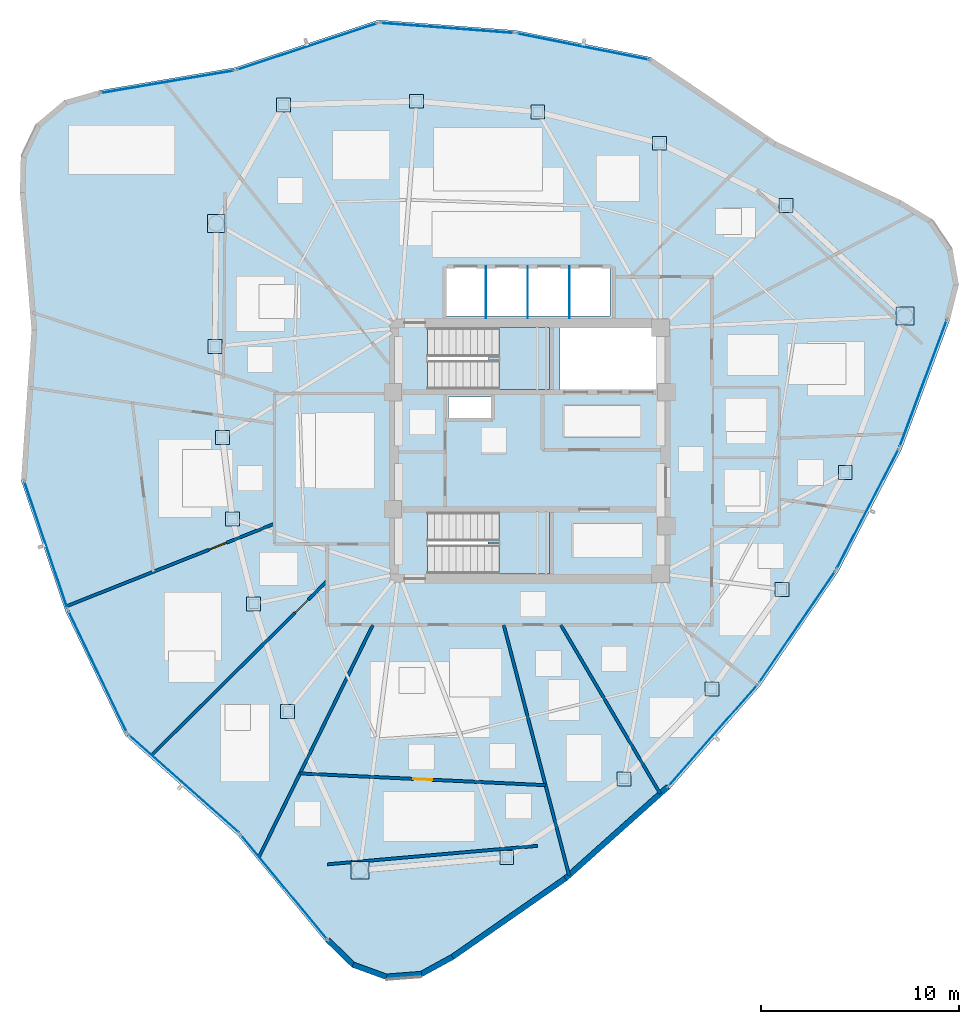
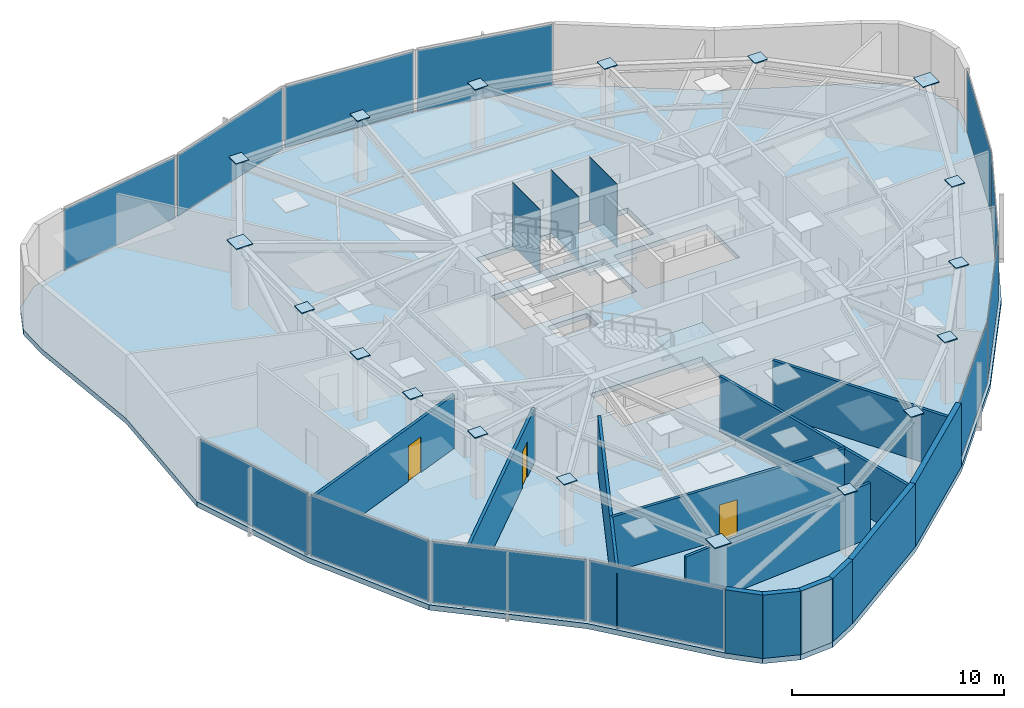
# One storey, part 7 of 13: 33 plates, 13 walls, 3 doors, 3 slabs, 3 openings, 14 elements without a shape of their own.
"""IFC4 building model written with IfcOpenShell, lengths in metres."""

from ifc_helpers import new_model, si_unit, direction, frame, frame_2d, origin, origin_2d, place, context, subcontext, project, spatial, polyline, rectangle, outline, extrude, source, transform, mapped, material, layer, layer_set, type_object, type_shapes, element, fill, aggregate, save


model = new_model("IFC4")

# Units and contexts
model_context = context("Model", 3, precision=1e-05, world=origin(), true_north=direction((0.0, 1.0)))
body_context = subcontext(model_context, "Body", "Model", "MODEL_VIEW")
ifc_project = project(units=[si_unit("LENGTHUNIT", "METRE"), si_unit("AREAUNIT", "SQUARE_METRE"), si_unit("VOLUMEUNIT", "CUBIC_METRE"), si_unit("PLANEANGLEUNIT", "RADIAN"), si_unit("MASSUNIT", "GRAM", prefix="KILO")], contexts=[model_context])

# Site, building, storey
site_placement = place(None, origin())
site = spatial("IfcSite", under=ifc_project, at=site_placement, CompositionType="ELEMENT")
building_placement = place(site_placement, origin())
building = spatial("IfcBuilding", under=site, at=building_placement, Name="Tavelor Broadcast Tower", CompositionType="ELEMENT")
storey_placement = place(building_placement, frame((0.0, 0.0, 261.64990234375)))
storey = spatial("IfcBuildingStorey", under=building, at=storey_placement, Name="L62", CompositionType="ELEMENT", Elevation=261.64990234375)

# Stair, slab
ifc_material_1 = material(Name="Concrete C40/50", Category="concrete")
stair_type = type_object("IfcStairType", Name="Reinforced Concrete Protected Dogleg Stair 1450 mm", PredefinedType="HALF_TURN_STAIR", material=ifc_material_1)
stair_1_placement = place(storey_placement, origin())
stair_1 = element("IfcStair", 1, at=stair_1_placement, inside=storey, type_object=stair_type, Name="L62 Protected Core Exit Stair ST1", PredefinedType="HALF_TURN_STAIR")
ifc_layer_1 = layer(ifc_material_1, 0.199951171875)
ifc_layer_set_1 = layer_set([ifc_layer_1], Name="Concrete C40/50")
slab_type_1 = type_object("IfcSlabType", Name="Reinforced Concrete Stair Half-Landing Slab 200 mm", PredefinedType="LANDING", material=ifc_layer_set_1)
slab_1_placement = place(storey_placement, frame((0.0, 0.0, 1.775146484375)))
slab_1 = element("IfcSlab", 2, at=slab_1_placement, type_object=slab_type_1, Name="ST1 landing 1", PredefinedType="LANDING", context=body_context, shape_type="SweptSolid", body=[
    extrude(outline(polyline([(48.445068359375, 49.590087890625), (48.445068359375, 48.094970703125), (51.0048828125, 48.094970703125), (51.0048828125, 51.205078125), (48.445068359375, 51.205078125), (48.445068359375, 49.7099609375), (47.905029296875, 49.7099609375), (47.905029296875, 49.590087890625), (48.445068359375, 49.590087890625)])), origin(), (0.0, 0.0, 1.0), 0.199951171875),
])
aggregate(stair_1, [slab_1])

stair_2_placement = place(storey_placement, origin())
stair_2 = element("IfcStair", 3, at=stair_2_placement, inside=storey, type_object=stair_type, Name="L62 Protected Core Exit Stair ST2", PredefinedType="HALF_TURN_STAIR")
slab_2_placement = place(storey_placement, frame((0.0, 0.0, 1.775146484375)))
slab_2 = element("IfcSlab", 4, at=slab_2_placement, type_object=slab_type_1, Name="ST2 landing 1", PredefinedType="LANDING", context=body_context, shape_type="SweptSolid", body=[
    extrude(outline(polyline([(48.445068359375, 40.2900390625), (48.445068359375, 38.794921875), (51.0048828125, 38.794921875), (51.0048828125, 41.905029296875), (48.445068359375, 41.905029296875), (48.445068359375, 40.409912109375), (47.905029296875, 40.409912109375), (47.905029296875, 40.2900390625), (48.445068359375, 40.2900390625)])), origin(), (0.0, 0.0, 1.0), 0.199951171875),
])
aggregate(stair_2, [slab_2])

# Slab
ifc_layer_2 = layer(ifc_material_1, 0.300048828125)
ifc_layer_set_2 = layer_set([ifc_layer_2], Name="Concrete C40/50")
slab_type_2 = type_object("IfcSlabType", Name="Tower Composite Floor Slab 300 mm", PredefinedType="FLOOR", material=ifc_layer_set_2)
slab_3_placement = place(storey_placement, frame((0.0, 0.0, -0.2998046875)))
element("IfcSlab", 5, at=slab_3_placement, inside=storey, type_object=slab_type_2, Name="L62 Structural Floor Slab", PredefinedType="FLOOR", context=body_context, shape_type="SweptSolid", body=[
    extrude(outline(polyline([(28.2939453125, 63.162109375), (26.53662109375, 62.66650390625), (25.13916015625, 61.49169921875), (24.3486328125, 59.845703125), (24.3056640625, 58.0205078125), (24.89013671875, 51.095703125), (24.36376953125, 43.499267578125), (26.5947265625, 36.91748046875), (29.605712890625, 30.654296875), (35.296875, 25.594970703125), (39.724365234375, 20.238525390625), (41.031982421875, 18.964599609375), (42.748291015625, 18.341796875), (44.56884765625, 18.47998046875), (46.1708984375, 19.35546875), (51.875732421875, 23.323974609375), (57.05859375, 27.95361328125), (61.642822265625, 33.176513671875), (65.5615234375, 38.91552734375), (68.7568359375, 45.0869140625), (71.181884765625, 51.599365234375), (71.63134765625, 53.368896484375), (71.312744140625, 55.166748046875), (70.282470703125, 56.674072265625), (68.723388671875, 57.623779296875), (62.43408203125, 60.580078125), (56.118408203125, 64.834228515625), (49.302978515625, 66.193115234375), (42.37353515625, 66.717041015625), (35.146484375, 64.318115234375), (28.2939453125, 63.162109375)]), holes=[polyline([(50.99609375, 41.89599609375), (50.99609375, 38.803955078125), (44.85400390625, 38.803955078125), (44.85400390625, 41.89599609375), (50.99609375, 41.89599609375)]), polyline([(48.050048828125, 47.699951171875), (48.050048828125, 46.64990234375), (45.89990234375, 46.64990234375), (45.89990234375, 47.699951171875), (48.050048828125, 47.699951171875)]), polyline([(50.99609375, 51.196044921875), (50.99609375, 48.10400390625), (44.85400390625, 48.10400390625), (44.85400390625, 51.196044921875), (50.99609375, 51.196044921875)]), polyline([(56.60009765625, 48.10009765625), (51.52001953125, 48.10009765625), (51.52001953125, 51.199951171875), (56.60009765625, 51.199951171875), (56.60009765625, 48.10009765625)]), polyline([(54.050048828125, 51.800048828125), (45.800048828125, 51.800048828125), (45.800048828125, 54.25), (54.050048828125, 54.25), (54.050048828125, 51.800048828125)])]), origin(), (0.0, 0.0, 1.0), 0.2998046875),
])

# Plates
ifc_material_2 = material(Name="Steel S460", Category="steel")
ifc_layer_3 = layer(ifc_material_2, 0.050048828125)
ifc_layer_set_3 = layer_set([ifc_layer_3], Name="Steel S460")
plate_type_1 = type_object("IfcPlateType", Name="Tube Hollow-End Cap Plate KN05 700x700x50", PredefinedType="USERDEFINED", material=ifc_layer_set_3)
shared_shape_1 = source(origin(), body_context, "Body", "SweptSolid", [
    extrude(rectangle(XDim=0.699951171875, YDim=0.699951171875, at=origin_2d()), origin(), (0.0, 0.0, 1.0), 0.054931640625),
])
for number, where, z_axis, x_axis, name in (
    (6, (34.13720703125, 50.255859375, 3.62255859375), (0.0, 0.0, 1.0), (1.0, 0.0, 0.0), "L62 Hollow End Cap Plate KN05 #1832"),
    (7, (34.513671875, 45.66455078125, 3.62255859375), (0.0, 0.0, 1.0), (1.0, 0.0, 0.0), "L62 Hollow End Cap Plate KN05 #1833"),
    (8, (35.018798828125, 41.56396484375, 3.62255859375), (0.0, 0.0, 1.0), (1.0, 0.0, 0.0), "L62 Hollow End Cap Plate KN05 #1834"),
    (9, (36.08349609375, 37.2822265625, 3.62255859375), (0.0, 0.0, 1.0), (1.0, 0.0, 0.0), "L62 Hollow End Cap Plate KN05 #1835"),
    (10, (37.797119140625, 31.853271484375, 3.62255859375), (0.0, 0.0, 1.0), (1.0, 0.0, 0.0), "L62 Hollow End Cap Plate KN05 #1836"),
    (11, (48.843994140625, 24.5048828125, 3.62255859375), (0.0, 0.0, 1.0), (1.0, 0.0, 0.0), "L62 Hollow End Cap Plate KN05 #1838"),
    (12, (54.754150390625, 28.461669921875, 3.62255859375), (0.0, 0.0, 1.0), (1.0, 0.0, 0.0), "L62 Hollow End Cap Plate KN05 #1839"),
    (13, (59.1923828125, 32.987060546875, 3.62255859375), (0.0, 0.0, 1.0), (1.0, 0.0, 0.0), "L62 Hollow End Cap Plate KN05 #1840"),
    (14, (62.7109375, 38.009033203125, 3.62255859375), (0.0, 0.0, 1.0), (1.0, 0.0, 0.0), "L62 Hollow End Cap Plate KN05 #1841"),
    (15, (65.9072265625, 43.909423828125, 3.62255859375), (0.0, 0.0, 1.0), (1.0, 0.0, 0.0), "L62 Hollow End Cap Plate KN05 #1842"),
    (16, (62.92724609375, 57.364013671875, 3.62255859375), (0.0, 0.0, 1.0), (1.0, 0.0, 0.0), "L62 Hollow End Cap Plate KN05 #1844"),
    (17, (56.545654296875, 60.504150390625, 3.62255859375), (0.0, 0.0, 1.0), (1.0, 0.0, 0.0), "L62 Hollow End Cap Plate KN05 #1845"),
    (18, (50.4072265625, 62.0849609375, 3.62255859375), (0.0, 0.0, 1.0), (1.0, 0.0, 0.0), "L62 Hollow End Cap Plate KN05 #1846"),
    (19, (44.298828125, 62.621337890625, 3.62255859375), (0.0, 0.0, 1.0), (1.0, 0.0, 0.0), "L62 Hollow End Cap Plate KN05 #1847"),
    (20, (37.5908203125, 62.439208984375, 3.62255859375), (0.0, 0.0, 1.0), (1.0, 0.0, 0.0), "L62 Hollow End Cap Plate KN05 #1848"),
):
    element("IfcPlate", number, at=place(storey_placement, frame(where, z_axis=z_axis, x_axis=x_axis)), inside=storey, type_object=plate_type_1, Name=name, ObjectType="CAP PLATE", PredefinedType="USERDEFINED", context=body_context, shape_type="MappedRepresentation", body=[
        mapped(shared_shape_1, transform((0.0, 0.0, 0.0), scale=1.0)),
    ])
shared_shape_2 = source(origin(), body_context, "Body", "SweptSolid", [
    extrude(rectangle(XDim=0.89306640625, YDim=0.89306640625, at=origin_2d()), origin(), (0.0, 0.0, 1.0), 0.054931640625),
])
type_shapes(plate_type_1, [shared_shape_1, shared_shape_2])
for number, where, z_axis, x_axis, name in (
    (21, (34.1962890625, 56.4599609375, 3.62255859375), (0.0, 0.0, 1.0), (1.0, 0.0, 0.0), "L62 Hollow End Cap Plate KN05 #1831"),
    (22, (41.440185546875, 23.853759765625, 3.62255859375), (0.0, 0.0, 1.0), (1.0, 0.0, 0.0), "L62 Hollow End Cap Plate KN05 #1837"),
    (23, (68.919677734375, 51.799072265625, 3.62255859375), (0.0, 0.0, 1.0), (1.0, 0.0, 0.0), "L62 Hollow End Cap Plate KN05 #1843"),
):
    element("IfcPlate", number, at=place(storey_placement, frame(where, z_axis=z_axis, x_axis=x_axis)), inside=storey, type_object=plate_type_1, Name=name, ObjectType="CAP PLATE", PredefinedType="USERDEFINED", context=body_context, shape_type="MappedRepresentation", body=[
        mapped(shared_shape_2, transform((0.0, 0.0, 0.0), scale=1.0)),
    ])
ifc_material_3 = material(Name="Steel S355", Category="steel")
ifc_layer_4 = layer(ifc_material_3, 0.011962890625)
ifc_layer_set_4 = layer_set([ifc_layer_4], Name="Steel S355")
plate_type_2 = type_object("IfcPlateType", Name="Hoistway Steel Separator Screen 12 mm", PredefinedType="SHEET", material=ifc_layer_set_4)
shared_shape_3 = source(origin(), body_context, "Body", "SweptSolid", [
    extrude(rectangle(XDim=0.02001953125, YDim=2.6201171875, at=origin_2d()), origin(), (0.0, 0.0, 1.0), 3.64990234375),
])
type_shapes(plate_type_2, [shared_shape_3])
for number, where, z_axis, x_axis, name in (
    (24, (47.800048828125, 52.989990234375, 0.000244140625), (0.0, 0.0, 1.0), (1.0, 0.0, 0.0), "L62 High-Rise Hoistway Separator Screen 1"),
    (25, (49.89990234375, 52.989990234375, 0.000244140625), (0.0, 0.0, 1.0), (1.0, 0.0, 0.0), "L62 High-Rise Hoistway Separator Screen 2"),
    (26, (52.0, 52.989990234375, 0.000244140625), (0.0, 0.0, 1.0), (1.0, 0.0, 0.0), "L62 High-Rise Hoistway Separator Screen 3"),
):
    element("IfcPlate", number, at=place(storey_placement, frame(where, z_axis=z_axis, x_axis=x_axis)), inside=storey, type_object=plate_type_2, Name=name, PredefinedType="SHEET", context=body_context, shape_type="MappedRepresentation", body=[
        mapped(shared_shape_3, transform((0.0, 0.0, 0.0), scale=1.0)),
    ])

# Curtain wall, plate
ifc_material_4 = material(Name="Architectural Anodized Aluminium", Category="aluminium")
ifc_layer_5 = layer(ifc_material_4, 0.199951171875)
ifc_layer_set_5 = layer_set([ifc_layer_5], Name="Architectural Anodized Aluminium")
curtain_wall_type = type_object("IfcCurtainWallType", Name="Tower High-Zone Triple-Glazed Curtain Wall CW04", PredefinedType="NOTDEFINED", material=ifc_layer_set_5)
curtain_wall_1_placement = place(storey_placement, origin())
curtain_wall_1 = element("IfcCurtainWall", 27, at=curtain_wall_1_placement, inside=storey, type_object=curtain_wall_type, Name="L62 Curtain Wall CW04 Run 673", PredefinedType="NOTDEFINED")
ifc_material_5 = material(Name="High-Altitude Triple Glazing 36 mm", Category="glass")
ifc_layer_6 = layer(ifc_material_5, 0.035888671875)
ifc_layer_set_6 = layer_set([ifc_layer_6], Name="High-Altitude Triple Glazing 36 mm")
plate_type_3 = type_object("IfcPlateType", Name="CW04 Insulated Vision Glazing Panel 36 mm", PredefinedType="CURTAIN_PANEL", material=ifc_layer_set_6)
shared_shape_4 = source(origin(), body_context, "Body", "SweptSolid", [
    extrude(rectangle(XDim=6.7578125, YDim=0.035888671875, at=origin_2d()), origin(), (0.0, 0.0, 1.0), 3.510009765625),
])
plate_1_placement = place(storey_placement, frame((25.612548828125, 40.251220703125, 0.0703125), z_axis=(0.0, 0.0, 1.0), x_axis=(0.321016580501, -0.94707357425, 0.0)))
plate_1 = element("IfcPlate", 28, at=plate_1_placement, type_object=plate_type_3, Name="CW04 panel 1.1", PredefinedType="CURTAIN_PANEL", context=body_context, shape_type="MappedRepresentation", body=[
    mapped(shared_shape_4, transform((0.0, 0.0, 0.0), scale=1.0)),
])
aggregate(curtain_wall_1, [plate_1])

curtain_wall_2_placement = place(storey_placement, origin())
curtain_wall_2 = element("IfcCurtainWall", 29, at=curtain_wall_2_placement, inside=storey, type_object=curtain_wall_type, Name="L62 Curtain Wall CW04 Run 681", PredefinedType="NOTDEFINED")
plate_2_placement = place(storey_placement, frame((52.68115234375, 65.376953125, 0.0703125), z_axis=(0.0, 0.0, 1.0), x_axis=(-0.980698152058, 0.195527835743, 0.0)))
plate_2 = element("IfcPlate", 30, at=plate_2_placement, type_object=plate_type_3, Name="CW04 panel 1.1", PredefinedType="CURTAIN_PANEL", context=body_context, shape_type="MappedRepresentation", body=[
    mapped(shared_shape_4, transform((0.0, 0.0, 0.0), scale=1.0)),
])
aggregate(curtain_wall_2, [plate_2])

curtain_wall_3_placement = place(storey_placement, origin())
curtain_wall_3 = element("IfcCurtainWall", 31, at=curtain_wall_3_placement, inside=storey, type_object=curtain_wall_type, Name="L62 Curtain Wall CW04 Run 674", PredefinedType="NOTDEFINED")
shared_shape_5 = source(origin(), body_context, "Body", "SweptSolid", [
    extrude(rectangle(XDim=6.74267578125, YDim=0.035888671875, at=origin_2d()), origin(), (0.0, 0.0, 1.0), 3.510009765625),
])
plate_3_placement = place(storey_placement, frame((28.22216796875, 33.85546875, 0.0703125), z_axis=(0.0, 0.0, 1.0), x_axis=(0.433269924344, -0.901264208021, 0.0)))
plate_3 = element("IfcPlate", 32, at=plate_3_placement, type_object=plate_type_3, Name="CW04 panel 1.1", PredefinedType="CURTAIN_PANEL", context=body_context, shape_type="MappedRepresentation", body=[
    mapped(shared_shape_5, transform((0.0, 0.0, 0.0), scale=1.0)),
])
aggregate(curtain_wall_3, [plate_3])

curtain_wall_4_placement = place(storey_placement, origin())
curtain_wall_4 = element("IfcCurtainWall", 33, at=curtain_wall_4_placement, inside=storey, type_object=curtain_wall_type, Name="L62 Curtain Wall CW04 Run 682", PredefinedType="NOTDEFINED")
plate_4_placement = place(storey_placement, frame((45.83740234375, 66.314697265625, 0.0703125), z_axis=(0.0, 0.0, 1.0), x_axis=(-0.997154051856, 0.075390960114, 0.0)))
plate_4 = element("IfcPlate", 34, at=plate_4_placement, type_object=plate_type_3, Name="CW04 panel 1.1", PredefinedType="CURTAIN_PANEL", context=body_context, shape_type="MappedRepresentation", body=[
    mapped(shared_shape_5, transform((0.0, 0.0, 0.0), scale=1.0)),
])
aggregate(curtain_wall_4, [plate_4])

curtain_wall_5_placement = place(storey_placement, origin())
curtain_wall_5 = element("IfcCurtainWall", 35, at=curtain_wall_5_placement, inside=storey, type_object=curtain_wall_type, Name="L62 Curtain Wall CW04 Run 675", PredefinedType="NOTDEFINED")
shared_shape_6 = source(origin(), body_context, "Body", "SweptSolid", [
    extrude(rectangle(XDim=7.427490234375, YDim=0.035888671875, at=origin_2d()), origin(), (0.0, 0.0, 1.0), 3.510009765625),
])
plate_5_placement = place(storey_placement, frame((32.558837890625, 28.216552734375, 0.0703125), z_axis=(0.0, 0.0, 1.0), x_axis=(0.747369218325, -0.664408948992, 0.0)))
plate_5 = element("IfcPlate", 36, at=plate_5_placement, type_object=plate_type_3, Name="CW04 panel 1.1", PredefinedType="CURTAIN_PANEL", context=body_context, shape_type="MappedRepresentation", body=[
    mapped(shared_shape_6, transform((0.0, 0.0, 0.0), scale=1.0)),
])
aggregate(curtain_wall_5, [plate_5])

curtain_wall_6_placement = place(storey_placement, origin())
curtain_wall_6 = element("IfcCurtainWall", 37, at=curtain_wall_6_placement, inside=storey, type_object=curtain_wall_type, Name="L62 Curtain Wall CW04 Run 683", PredefinedType="NOTDEFINED")
plate_6_placement = place(storey_placement, frame((38.78564453125, 65.378662109375, 0.0703125), z_axis=(0.0, 0.0, 1.0), x_axis=(-0.949081616227, -0.315030293368, 0.0)))
plate_6 = element("IfcPlate", 38, at=plate_6_placement, type_object=plate_type_3, Name="CW04 panel 1.1", PredefinedType="CURTAIN_PANEL", context=body_context, shape_type="MappedRepresentation", body=[
    mapped(shared_shape_6, transform((0.0, 0.0, 0.0), scale=1.0)),
])
aggregate(curtain_wall_6, [plate_6])

curtain_wall_7_placement = place(storey_placement, origin())
curtain_wall_7 = element("IfcCurtainWall", 39, at=curtain_wall_7_placement, inside=storey, type_object=curtain_wall_type, Name="L62 Curtain Wall CW04 Run 676", PredefinedType="NOTDEFINED")
shared_shape_7 = source(origin(), body_context, "Body", "SweptSolid", [
    extrude(rectangle(XDim=6.797607421875, YDim=0.035888671875, at=origin_2d()), origin(), (0.0, 0.0, 1.0), 3.510009765625),
])
plate_7_placement = place(storey_placement, frame((37.617431640625, 23.00732421875, 0.0703125), z_axis=(0.0, 0.0, 1.0), x_axis=(0.637109763425, -0.770773085511, 0.0)))
plate_7 = element("IfcPlate", 40, at=plate_7_placement, type_object=plate_type_3, Name="CW04 panel 1.1", PredefinedType="CURTAIN_PANEL", context=body_context, shape_type="MappedRepresentation", body=[
    mapped(shared_shape_7, transform((0.0, 0.0, 0.0), scale=1.0)),
])
aggregate(curtain_wall_7, [plate_7])

curtain_wall_8_placement = place(storey_placement, origin())
curtain_wall_8 = element("IfcCurtainWall", 41, at=curtain_wall_8_placement, inside=storey, type_object=curtain_wall_type, Name="L62 Curtain Wall CW04 Run 684", PredefinedType="NOTDEFINED")
plate_8_placement = place(storey_placement, frame((31.7451171875, 63.602294921875, 0.0703125), z_axis=(0.0, 0.0, 1.0), x_axis=(-0.986065909392, -0.166355109135, 0.0)))
plate_8 = element("IfcPlate", 42, at=plate_8_placement, type_object=plate_type_3, Name="CW04 panel 1.1", PredefinedType="CURTAIN_PANEL", context=body_context, shape_type="MappedRepresentation", body=[
    mapped(shared_shape_7, transform((0.0, 0.0, 0.0), scale=1.0)),
])
aggregate(curtain_wall_8, [plate_8])

curtain_wall_9_placement = place(storey_placement, origin())
curtain_wall_9 = element("IfcCurtainWall", 43, at=curtain_wall_9_placement, inside=storey, type_object=curtain_wall_type, Name="L62 Curtain Wall CW04 Run 677", PredefinedType="NOTDEFINED")
shared_shape_8 = source(origin(), body_context, "Body", "SweptSolid", [
    extrude(rectangle(XDim=6.77734375, YDim=0.035888671875, at=origin_2d()), origin(), (0.0, 0.0, 1.0), 3.510009765625),
])
plate_9_placement = place(storey_placement, frame((59.240478515625, 30.651611328125, 0.0703125), z_axis=(0.0, 0.0, 1.0), x_axis=(0.659678721557, 0.751547725913, 0.0)))
plate_9 = element("IfcPlate", 44, at=plate_9_placement, type_object=plate_type_3, Name="CW04 panel 1.1", PredefinedType="CURTAIN_PANEL", context=body_context, shape_type="MappedRepresentation", body=[
    mapped(shared_shape_8, transform((0.0, 0.0, 0.0), scale=1.0)),
])
aggregate(curtain_wall_9, [plate_9])

curtain_wall_10_placement = place(storey_placement, origin())
curtain_wall_10 = element("IfcCurtainWall", 45, at=curtain_wall_10_placement, inside=storey, type_object=curtain_wall_type, Name="L62 Curtain Wall CW04 Run 678", PredefinedType="NOTDEFINED")
shared_shape_9 = source(origin(), body_context, "Body", "SweptSolid", [
    extrude(rectangle(XDim=6.76220703125, YDim=0.035888671875, at=origin_2d()), origin(), (0.0, 0.0, 1.0), 3.510009765625),
])
plate_10_placement = place(storey_placement, frame((63.486572265625, 36.125, 0.0703125), z_axis=(0.0, 0.0, 1.0), x_axis=(0.56388380862, 0.825854133837, 0.0)))
plate_10 = element("IfcPlate", 46, at=plate_10_placement, type_object=plate_type_3, Name="CW04 panel 1.1", PredefinedType="CURTAIN_PANEL", context=body_context, shape_type="MappedRepresentation", body=[
    mapped(shared_shape_9, transform((0.0, 0.0, 0.0), scale=1.0)),
])
aggregate(curtain_wall_10, [plate_10])

curtain_wall_11_placement = place(storey_placement, origin())
curtain_wall_11 = element("IfcCurtainWall", 47, at=curtain_wall_11_placement, inside=storey, type_object=curtain_wall_type, Name="L62 Curtain Wall CW04 Run 679", PredefinedType="NOTDEFINED")
shared_shape_10 = source(origin(), body_context, "Body", "SweptSolid", [
    extrude(rectangle(XDim=6.762451171875, YDim=0.035888671875, at=origin_2d()), origin(), (0.0, 0.0, 1.0), 3.510009765625),
])
plate_11_placement = place(storey_placement, frame((67.034912109375, 42.0654296875, 0.0703125), z_axis=(0.0, 0.0, 1.0), x_axis=(0.459796514412, 0.888024304473, 0.0)))
plate_11 = element("IfcPlate", 48, at=plate_11_placement, type_object=plate_type_3, Name="CW04 panel 1.1", PredefinedType="CURTAIN_PANEL", context=body_context, shape_type="MappedRepresentation", body=[
    mapped(shared_shape_10, transform((0.0, 0.0, 0.0), scale=1.0)),
])
aggregate(curtain_wall_11, [plate_11])

curtain_wall_12_placement = place(storey_placement, origin())
curtain_wall_12 = element("IfcCurtainWall", 49, at=curtain_wall_12_placement, inside=storey, type_object=curtain_wall_type, Name="L62 Curtain Wall CW04 Run 680", PredefinedType="NOTDEFINED")
shared_shape_11 = source(origin(), body_context, "Body", "SweptSolid", [
    extrude(rectangle(XDim=6.7783203125, YDim=0.035888671875, at=origin_2d()), origin(), (0.0, 0.0, 1.0), 3.510009765625),
])
type_shapes(plate_type_3, [shared_shape_4, shared_shape_5, shared_shape_6, shared_shape_7, shared_shape_8, shared_shape_9, shared_shape_10, shared_shape_11])
plate_12_placement = place(storey_placement, frame((69.841064453125, 48.3994140625, 0.0703125), z_axis=(0.0, 0.0, 1.0), x_axis=(0.34896666377, 0.937135138375, 0.0)))
plate_12 = element("IfcPlate", 50, at=plate_12_placement, type_object=plate_type_3, Name="CW04 panel 1.1", PredefinedType="CURTAIN_PANEL", context=body_context, shape_type="MappedRepresentation", body=[
    mapped(shared_shape_11, transform((0.0, 0.0, 0.0), scale=1.0)),
])
aggregate(curtain_wall_12, [plate_12])

# Walls
ifc_material_6 = material(Name="Precast Concrete C40/50", Category="concrete")
ifc_layer_7 = layer(ifc_material_6, 0.280029296875)
ifc_layer_set_7 = layer_set([ifc_layer_7], Name="Precast Concrete C40/50")
wall_type_1 = type_object("IfcWallType", Name="Insulated Precast Terracotta Facade Wall 280 mm", PredefinedType="STANDARD", material=ifc_layer_set_7)
wall_1_placement = place(storey_placement, frame((39.824462890625, 20.33642578125, 0.0), z_axis=(0.0, 0.0, 1.0), x_axis=(0.716300574628, -0.697791864948, 0.0)))
element("IfcWall", 51, at=wall_1_placement, inside=storey, type_object=wall_type_1, Name="L62 Rounded Corner Structural Cladding Pier 11", PredefinedType="STANDARD", context=body_context, shape_type="SweptSolid", body=[
    extrude(rectangle(XDim=1.80712890625, YDim=0.280029296875, at=frame_2d((0.903564453125, 0.0))), origin(), (0.0, 0.0, 1.0), 3.650146484375),
])
wall_2_placement = place(storey_placement, frame((41.093994140625, 19.091064453125, 0.0), z_axis=(0.0, 0.0, 1.0), x_axis=(0.940003661117, -0.341164354946, 0.0)))
element("IfcWall", 52, at=wall_2_placement, inside=storey, type_object=wall_type_1, Name="L62 Rounded Corner Structural Cladding Pier 12", PredefinedType="STANDARD", context=body_context, shape_type="SweptSolid", body=[
    extrude(rectangle(XDim=1.79541015625, YDim=0.280029296875, at=frame_2d((0.897705078125, 0.0))), origin(), (0.0, 0.0, 1.0), 3.650146484375),
])
wall_3_placement = place(storey_placement, frame((42.752685546875, 18.482421875, 0.0), z_axis=(0.0, 0.0, 1.0), x_axis=(0.99712839461, 0.075729549468, 0.0)))
element("IfcWall", 53, at=wall_3_placement, inside=storey, type_object=wall_type_1, Name="L62 Rounded Corner Structural Cladding Pier 13", PredefinedType="STANDARD", context=body_context, shape_type="SweptSolid", body=[
    extrude(rectangle(XDim=1.795654296875, YDim=0.280029296875, at=frame_2d((0.89794921875, 0.0))), origin(), (0.0, 0.0, 1.0), 3.650146484375),
])
wall_4_placement = place(storey_placement, frame((44.514892578125, 18.610107421875, 0.0), z_axis=(0.0, 0.0, 1.0), x_axis=(0.877530962043, 0.479519979412, 0.0)))
element("IfcWall", 54, at=wall_4_placement, inside=storey, type_object=wall_type_1, Name="L62 Rounded Corner Structural Cladding Pier 14", PredefinedType="STANDARD", context=body_context, shape_type="SweptSolid", body=[
    extrude(rectangle(XDim=1.818115234375, YDim=0.280029296875, at=frame_2d((0.9091796875, 0.0))), origin(), (0.0, 0.0, 1.0), 3.650146484375),
])
wall_5_placement = place(storey_placement, frame((46.0849609375, 19.46630859375, 0.0), z_axis=(0.0, 0.0, 1.0), x_axis=(0.820921637753, 0.57104086077, 0.0)))
element("IfcWall", 55, at=wall_5_placement, inside=storey, type_object=wall_type_1, Name="L62 Rounded Corner Structural Cladding Pier 15", PredefinedType="STANDARD", context=body_context, shape_type="SweptSolid", body=[
    extrude(rectangle(XDim=6.96337890625, YDim=0.280029296875, at=frame_2d((3.481689453125, 0.0))), origin(), (0.0, 0.0, 1.0), 3.650146484375),
])
wall_6_placement = place(storey_placement, frame((51.777587890625, 23.424072265625, 0.0), z_axis=(0.0, 0.0, 1.0), x_axis=(0.745794941976, 0.666175580852, 0.0)))
element("IfcWall", 56, at=wall_6_placement, inside=storey, type_object=wall_type_1, Name="L62 Rounded Corner Structural Cladding Pier 16", PredefinedType="STANDARD", context=body_context, shape_type="SweptSolid", body=[
    extrude(rectangle(XDim=6.951416015625, YDim=0.280029296875, at=frame_2d((3.4755859375, 0.0))), origin(), (0.0, 0.0, 1.0), 3.650146484375),
])
ifc_material_7 = material(Name="Gypsum Acoustic Plasterboard 150 mm", Category="gypsum")
ifc_layer_8 = layer(ifc_material_7, 0.14990234375)
ifc_layer_set_8 = layer_set([ifc_layer_8], Name="Gypsum Acoustic Plasterboard 150 mm")
wall_type_2 = type_object("IfcWallType", Name="Interior Acoustic Partition Wall 150 mm", PredefinedType="PARTITIONING", material=ifc_layer_set_8)
wall_7_placement = place(storey_placement, frame((39.807861328125, 24.15185546875, 0.0), z_axis=(0.0, 0.0, 1.0), x_axis=(0.996153584085, 0.087624408208, 0.0)))
element("IfcWall", 57, at=wall_7_placement, inside=storey, type_object=wall_type_2, Name="L62 Corner Tube Brace Furring Wall 2", PredefinedType="PARTITIONING", context=body_context, shape_type="SweptSolid", body=[
    extrude(rectangle(XDim=10.63232421875, YDim=0.14990234375, at=frame_2d((5.316162109375, 0.0))), origin(), (0.0, 0.0, 1.0), 3.175048828125),
])

# Wall, opening, door
wall_8_placement = place(storey_placement, frame((37.080078125, 41.3017578125, 0.0), z_axis=(0.0, 0.0, 1.0), x_axis=(-0.929496393642, -0.368831200154, 0.0)))
wall_8 = element("IfcWall", 58, at=wall_8_placement, inside=storey, type_object=wall_type_2, Name="L62 Radial Compartment Wall 04", PredefinedType="PARTITIONING", context=body_context, shape_type="SweptSolid", body=[
    extrude(rectangle(XDim=11.222412109375, YDim=0.14990234375, at=frame_2d((5.611328125, 0.0))), origin(), (0.0, 0.0, 1.0), 3.0751953125),
])
opening_1_placement = place(wall_8_placement, frame((2.550048828125, 0.0, 0.0)))
opening_1 = element("IfcOpeningElement", 59, at=opening_1_placement, cuts=wall_8, Name="Opening DR18", PredefinedType="OPENING", context=body_context, shape_type="SweptSolid", body=[
    extrude(rectangle(XDim=0.949951171875, YDim=2.050048828125, at=frame_2d((0.47509765625, 1.02490234375))), frame((0.0, 0.0849609375, 0.0), z_axis=(0.0, -1.0, 0.0), x_axis=(1.0, 0.0, 0.0)), (0.0, 0.0, 1.0), 0.169921875),
])
ifc_material_8 = material(Name="Timber Solid Core Hardwood", Category="wood")
door_type_1 = type_object("IfcDoorType", Name="Corridor Rated Compartment Door 950x2050", OperationType="NOTDEFINED", PredefinedType="DOOR", material=ifc_material_8)
door_1_placement = place(opening_1_placement, origin())
door_1 = element("IfcDoor", 60, at=door_1_placement, inside=storey, type_object=door_type_1, Name="L62 Suite Connecting Door 14", OperationType="SINGLE_SWING_RIGHT", OverallHeight=2.050048828125, OverallWidth=0.949951171875, PredefinedType="DOOR", context=body_context, shape_type="SweptSolid", body=[
    extrude(rectangle(XDim=0.949951171875, YDim=2.050048828125, at=frame_2d((0.47509765625, 1.02490234375))), frame((0.0, 0.02490234375, 0.0), z_axis=(0.0, -1.0, 0.0), x_axis=(1.0, 0.0, 0.0)), (0.0, 0.0, 1.0), 0.050048828125),
])
fill(opening_1, door_1)

wall_9_placement = place(storey_placement, frame((39.800048828125, 38.450439453125, 0.0), z_axis=(0.0, 0.0, 1.0), x_axis=(-0.709807958625, -0.704395245493, 0.0)))
wall_9 = element("IfcWall", 61, at=wall_9_placement, inside=storey, type_object=wall_type_2, Name="L62 Radial Compartment Wall 05", PredefinedType="PARTITIONING", context=body_context, shape_type="SweptSolid", body=[
    extrude(rectangle(XDim=12.494140625, YDim=0.14990234375, at=frame_2d((6.2470703125, 0.0))), origin(), (0.0, 0.0, 1.0), 3.0751953125),
])
opening_2_placement = place(wall_9_placement, frame((1.35009765625, 0.0, 0.0)))
opening_2 = element("IfcOpeningElement", 62, at=opening_2_placement, cuts=wall_9, Name="Opening DR18", PredefinedType="OPENING", context=body_context, shape_type="SweptSolid", body=[
    extrude(rectangle(XDim=0.949951171875, YDim=2.050048828125, at=frame_2d((0.47509765625, 1.02490234375))), frame((0.0, 0.0849609375, 0.0), z_axis=(0.0, -1.0, 0.0), x_axis=(1.0, 0.0, 0.0)), (0.0, 0.0, 1.0), 0.169921875),
])
door_2_placement = place(opening_2_placement, origin())
door_2 = element("IfcDoor", 63, at=door_2_placement, inside=storey, type_object=door_type_1, Name="L62 Suite Connecting Door 6", OperationType="SINGLE_SWING_LEFT", OverallHeight=2.050048828125, OverallWidth=0.949951171875, PredefinedType="DOOR", context=body_context, shape_type="SweptSolid", body=[
    extrude(rectangle(XDim=0.949951171875, YDim=2.050048828125, at=frame_2d((0.47509765625, 1.02490234375))), frame((0.0, 0.02490234375, 0.0), z_axis=(0.0, -1.0, 0.0), x_axis=(1.0, 0.0, 0.0)), (0.0, 0.0, 1.0), 0.050048828125),
])
fill(opening_2, door_2)

# Walls
wall_10_placement = place(storey_placement, frame((42.09228515625, 36.219970703125, 0.0), z_axis=(0.0, 0.0, 1.0), x_axis=(-0.440463459743, -0.897770538964, 0.0)))
element("IfcWall", 64, at=wall_10_placement, inside=storey, type_object=wall_type_2, Name="L62 Radial Compartment Wall 06", PredefinedType="PARTITIONING", context=body_context, shape_type="SweptSolid", body=[
    extrude(rectangle(XDim=13.030517578125, YDim=0.14990234375, at=frame_2d((6.51513671875, 0.0))), origin(), (0.0, 0.0, 1.0), 3.175048828125),
])
wall_11_placement = place(storey_placement, frame((48.691650390625, 36.219970703125, 0.0), z_axis=(0.0, 0.0, 1.0), x_axis=(0.252549118901, -0.96758407518, 0.0)))
element("IfcWall", 65, at=wall_11_placement, inside=storey, type_object=wall_type_2, Name="L62 Radial Compartment Wall 07", PredefinedType="PARTITIONING", context=body_context, shape_type="SweptSolid", body=[
    extrude(rectangle(XDim=13.045654296875, YDim=0.14990234375, at=frame_2d((6.52294921875, 0.0))), origin(), (0.0, 0.0, 1.0), 3.175048828125),
])
wall_12_placement = place(storey_placement, frame((51.570556640625, 36.219970703125, 0.0), z_axis=(0.0, 0.0, 1.0), x_axis=(0.507444392482, -0.861684506382, 0.0)))
element("IfcWall", 66, at=wall_12_placement, inside=storey, type_object=wall_type_2, Name="L62 Radial Compartment Wall 08", PredefinedType="PARTITIONING", context=body_context, shape_type="SweptSolid", body=[
    extrude(rectangle(XDim=9.881591796875, YDim=0.14990234375, at=frame_2d((4.94091796875, 0.0))), origin(), (0.0, 0.0, 1.0), 3.0751953125),
])

# Wall, opening, door
wall_13_placement = place(storey_placement, frame((38.4189453125, 28.73291015625, 0.0), z_axis=(0.0, 0.0, 1.0), x_axis=(0.998860594399, -0.047723295741, 0.0)))
wall_13 = element("IfcWall", 67, at=wall_13_placement, inside=storey, type_object=wall_type_2, Name="L62 Suite Chord Partition Wall 02", PredefinedType="PARTITIONING", context=body_context, shape_type="SweptSolid", body=[
    extrude(rectangle(XDim=12.3955078125, YDim=0.14990234375, at=frame_2d((6.19775390625, 0.0))), origin(), (0.0, 0.0, 1.0), 3.175048828125),
])
opening_3_placement = place(wall_13_placement, frame((5.72265625, 0.0, 0.0)))
opening_3 = element("IfcOpeningElement", 68, at=opening_3_placement, cuts=wall_13, Name="Opening DR23", PredefinedType="OPENING", context=body_context, shape_type="SweptSolid", body=[
    extrude(rectangle(XDim=0.949951171875, YDim=2.050048828125, at=frame_2d((0.47509765625, 1.02490234375))), frame((0.0, 0.0849609375, 0.0), z_axis=(0.0, -1.0, 0.0), x_axis=(1.0, 0.0, 0.0)), (0.0, 0.0, 1.0), 0.169921875),
])
door_type_2 = type_object("IfcDoorType", Name="Editorial Room Acoustic Door 950x2050", OperationType="NOTDEFINED", PredefinedType="DOOR", material=ifc_material_8)
door_3_placement = place(opening_3_placement, origin())
door_3 = element("IfcDoor", 69, at=door_3_placement, inside=storey, type_object=door_type_2, Name="L62 Outer Suite Partition Door 2", OperationType="SINGLE_SWING_LEFT", OverallHeight=2.050048828125, OverallWidth=0.949951171875, PredefinedType="DOOR", context=body_context, shape_type="SweptSolid", body=[
    extrude(rectangle(XDim=0.949951171875, YDim=2.050048828125, at=frame_2d((0.47509765625, 1.02490234375))), frame((0.0, 0.02490234375, 0.0), z_axis=(0.0, -1.0, 0.0), x_axis=(1.0, 0.0, 0.0)), (0.0, 0.0, 1.0), 0.050048828125),
])
fill(opening_3, door_3)

save(model, "model.ifc")
